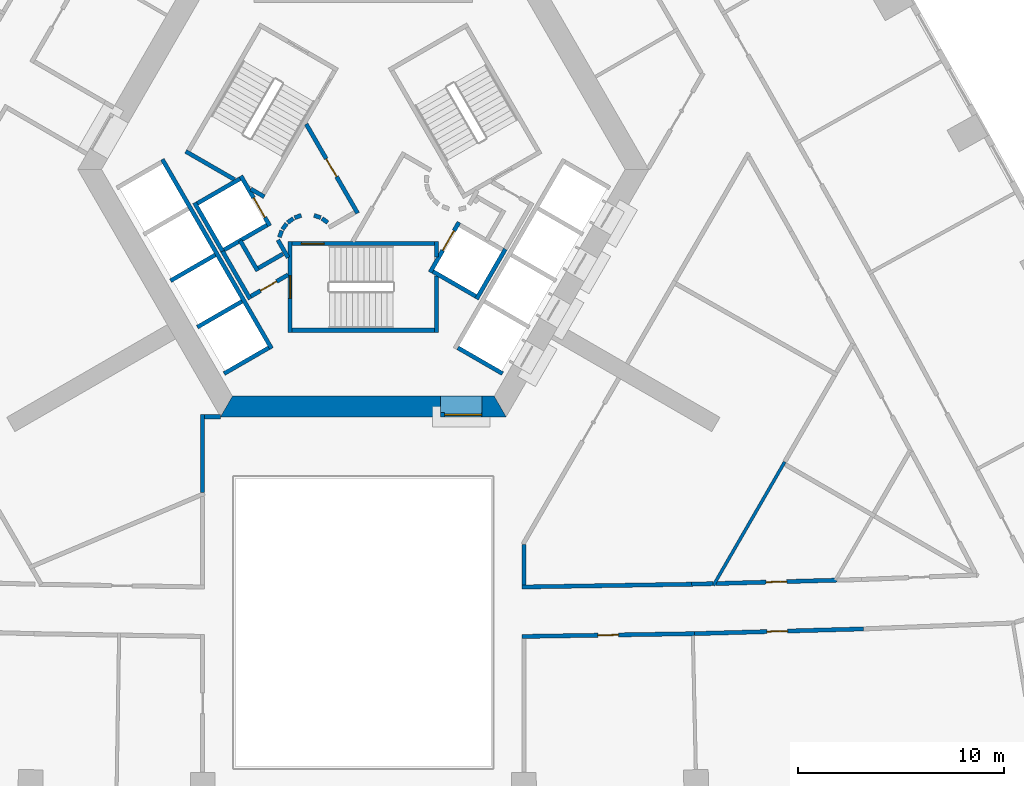
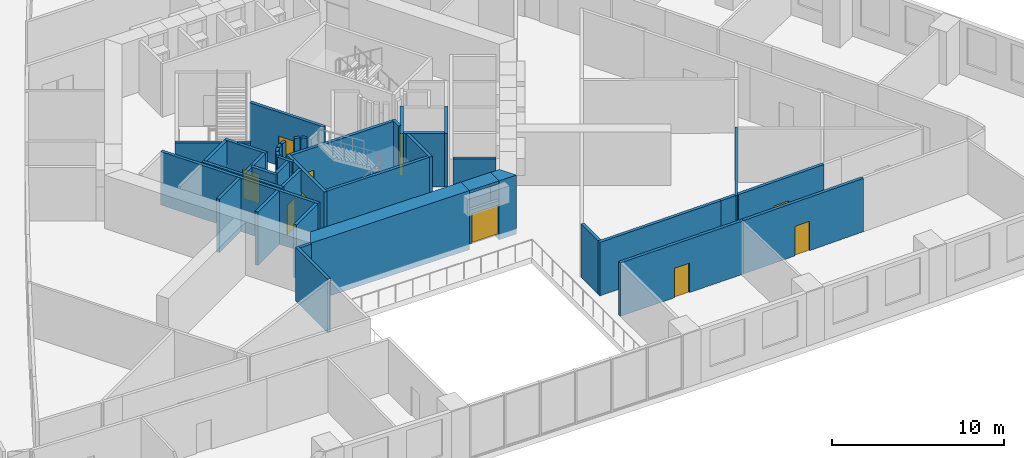
# One storey, part 6 of 16: 44 walls, 10 doors, 10 openings.
"""IFC4 building model written with IfcOpenShell, lengths in metres."""

from ifc_helpers import new_model, si_unit, direction, frame, frame_2d, origin, place, context, subcontext, project, spatial, polyline, rectangle, outline, extrude, material, layer, layer_set, type_object, element, fill, save


model = new_model("IFC4")

# Units and contexts
model_context = context("Model", 3, precision=1e-05, world=origin(), true_north=direction((0.0, 1.0)))
body_context = subcontext(model_context, "Body", "Model", "MODEL_VIEW")
ifc_project = project(units=[si_unit("LENGTHUNIT", "METRE"), si_unit("AREAUNIT", "SQUARE_METRE"), si_unit("VOLUMEUNIT", "CUBIC_METRE"), si_unit("PLANEANGLEUNIT", "RADIAN"), si_unit("MASSUNIT", "GRAM", prefix="KILO")], contexts=[model_context])

# Site, building, storey
site_placement = place(None, origin())
site = spatial("IfcSite", under=ifc_project, at=site_placement, CompositionType="ELEMENT")
building_placement = place(site_placement, origin())
building = spatial("IfcBuilding", under=site, at=building_placement, Name="Entoto Arch Interchange Tower", CompositionType="ELEMENT")
storey_placement = place(building_placement, frame((0.0, 0.0, 43.39990234375)))
storey = spatial("IfcBuildingStorey", under=building, at=storey_placement, Name="L08", CompositionType="ELEMENT", Elevation=43.39990234375)

# Wall, opening, door
ifc_material_1 = material(Name="Reinforced concrete C40/50", Category="concrete")
ifc_layer_1 = layer(ifc_material_1, 0.199951171875)
ifc_layer_set_1 = layer_set([ifc_layer_1], Name="Reinforced concrete C40/50")
wall_type_1 = type_object("IfcWallType", Name="CORE GAP INFILL WALL", PredefinedType="PARTITIONING", material=ifc_layer_set_1)
wall_1_placement = place(storey_placement, frame((3.75, -9.39990234375, 0.0), z_axis=(0.0, 0.0, 1.0), x_axis=(1.0, 0.0, 0.0)))
wall_1 = element("IfcWall", 1, at=wall_1_placement, inside=storey, type_object=wall_type_1, Name="wall:L08:gap1", PredefinedType="PARTITIONING", context=body_context, shape_type="SweptSolid", body=[
    extrude(rectangle(XDim=2.0, YDim=0.199951171875, at=frame_2d((1.0, 0.0))), origin(), (0.0, 0.0, 1.0), 2.400146484375),
])
opening_1_placement = place(wall_1_placement, frame((0.18994140625, 0.0, 0.0)))
opening_1 = element("IfcOpeningElement", 2, at=opening_1_placement, cuts=wall_1, Name="Opening L08-D91", PredefinedType="OPENING", context=body_context, shape_type="SweptSolid", body=[
    extrude(rectangle(XDim=1.800048828125, YDim=2.10009765625, at=frame_2d((0.89990234375, 1.050048828125))), frame((0.0, 0.10986328125, 0.0), z_axis=(0.0, -1.0, 0.0), x_axis=(1.0, 0.0, 0.0)), (0.0, 0.0, 1.0), 0.219970703125),
])
ifc_material_2 = material(Name="Fire-rated Steel S235 door and frame", Category="steel")
door_type_1 = type_object("IfcDoorType", Name="DOOR FD-18 1800x2100", OperationType="DOUBLE_DOOR_SINGLE_SWING", PredefinedType="DOOR", material=ifc_material_2)
door_1_placement = place(opening_1_placement, origin())
door_1 = element("IfcDoor", 3, at=door_1_placement, inside=storey, type_object=door_type_1, Name="door:L08:gap1", OperationType="DOUBLE_DOOR_SINGLE_SWING", OverallHeight=2.10009765625, OverallWidth=1.800048828125, PredefinedType="DOOR", context=body_context, shape_type="SweptSolid", body=[
    extrude(rectangle(XDim=1.800048828125, YDim=2.10009765625, at=frame_2d((0.89990234375, 1.050048828125))), frame((0.0, 0.02490234375, 0.0), z_axis=(0.0, -1.0, 0.0), x_axis=(1.0, 0.0, 0.0)), (0.0, 0.0, 1.0), 0.050048828125),
])
fill(opening_1, door_1)

# Walls
ifc_material_3 = material(Name="Concrete C60/75", Category="concrete")
ifc_layer_2 = layer(ifc_material_3, 1.0)
ifc_layer_set_2 = layer_set([ifc_layer_2], Name="Concrete C60/75")
wall_type_2 = type_object("IfcWallType", Name="Core wall 1000 C60/75", PredefinedType="SHEAR", material=ifc_layer_set_2)
wall_2_placement = place(storey_placement, frame((0.0, 0.0, -0.39990234375)))
element("IfcWall", 4, at=wall_2_placement, inside=storey, type_object=wall_type_2, Name="Core wall S L08", PredefinedType="SHEAR", context=body_context, shape_type="SweptSolid", body=[
    extrude(outline(polyline([(3.75, -9.5), (3.75, -8.5), (-6.35107421875, -8.5), (-6.927978515625, -9.5), (3.75, -9.5)])), origin(), (0.0, 0.0, 1.0), 4.199951171875),
])
wall_3_placement = place(storey_placement, frame((0.0, 0.0, -0.39990234375)))
element("IfcWall", 5, at=wall_3_placement, inside=storey, type_object=wall_type_2, Name="Core wall S L08", PredefinedType="SHEAR", context=body_context, shape_type="SweptSolid", body=[
    extrude(outline(polyline([(5.75, -8.5), (5.75, -9.5), (6.927978515625, -9.5), (6.35107421875, -8.5), (5.75, -8.5)])), origin(), (0.0, 0.0, 1.0), 4.199951171875),
])
wall_4_placement = place(storey_placement, frame((0.0, 0.0, 3.60009765625)))
element("IfcWall", 6, at=wall_4_placement, inside=storey, type_object=wall_type_2, Name="Core wall lintel S L08", PredefinedType="SHEAR", context=body_context, shape_type="SweptSolid", body=[
    extrude(outline(polyline([(5.75, -9.5), (5.75, -8.5), (3.75, -8.5), (3.75, -9.5), (5.75, -9.5)])), origin(), (0.0, 0.0, 1.0), 0.199951171875),
])

# Wall, opening, door
ifc_material_4 = material(Name="Concrete C40/50", Category="concrete")
ifc_layer_3 = layer(ifc_material_4, 0.199951171875)
ifc_layer_set_3 = layer_set([ifc_layer_3], Name="Concrete C40/50")
wall_type_3 = type_object("IfcWallType", Name="LIFT SHAFT WALL 200", PredefinedType="STANDARD", material=ifc_layer_set_3)
wall_5_placement = place(storey_placement, frame((-5.93994140625, 2.18798828125, 0.0), z_axis=(0.0, 0.0, 1.0), x_axis=(0.49994636267, -0.866056369097, 0.0)))
wall_5 = element("IfcWall", 7, at=wall_5_placement, inside=storey, type_object=wall_type_3, Name="Shaft wall SW1 front", PredefinedType="STANDARD", context=body_context, shape_type="SweptSolid", body=[
    extrude(rectangle(XDim=2.800048828125, YDim=0.199951171875, at=frame_2d((1.39990234375, 0.0))), origin(), (0.0, 0.0, 1.0), 3.800048828125),
])
opening_2_placement = place(wall_5_placement, frame((1.22509765625, 0.0, 0.0)))
opening_2 = element("IfcOpeningElement", 8, at=opening_2_placement, cuts=wall_5, Name="Opening LD-FF2-L08", PredefinedType="OPENING", context=body_context, shape_type="SweptSolid", body=[
    extrude(rectangle(XDim=1.10009765625, YDim=2.10009765625, at=frame_2d((0.550048828125, 1.050048828125))), frame((0.0, 0.10986328125, 0.0), z_axis=(0.0, -1.0, 0.0), x_axis=(1.0, 0.0, 0.0)), (0.0, 0.0, 1.0), 0.219970703125),
])
ifc_material_5 = material(Name="Stainless steel 1.4301 panels", Category="steel")
door_type_2 = type_object("IfcDoorType", Name="LIFT LANDING DOOR LD1 1100x2100", OperationType="SLIDING_TO_LEFT", PredefinedType="DOOR", material=ifc_material_5)
door_2_placement = place(opening_2_placement, origin())
door_2 = element("IfcDoor", 9, at=door_2_placement, inside=storey, type_object=door_type_2, Name="Lift landing door FF2 L08", OperationType="SLIDING_TO_LEFT", OverallHeight=2.10009765625, OverallWidth=1.10009765625, PredefinedType="DOOR", context=body_context, shape_type="SweptSolid", body=[
    extrude(rectangle(XDim=1.10009765625, YDim=2.10009765625, at=frame_2d((0.550048828125, 1.050048828125))), frame((0.0, 0.02490234375, 0.0), z_axis=(0.0, -1.0, 0.0), x_axis=(1.0, 0.0, 0.0)), (0.0, 0.0, 1.0), 0.050048828125),
])
fill(opening_2, door_2)

# Walls
wall_6_placement = place(storey_placement, frame((-8.19189453125, 0.887939453125, 0.0), z_axis=(0.0, 0.0, 1.0), x_axis=(0.49994636267, -0.866056369097, 0.0)))
element("IfcWall", 10, at=wall_6_placement, inside=storey, type_object=wall_type_3, Name="Shaft wall SW1 back", PredefinedType="STANDARD", context=body_context, shape_type="SweptSolid", body=[
    extrude(rectangle(XDim=2.800048828125, YDim=0.199951171875, at=frame_2d((1.39990234375, 0.0))), origin(), (0.0, 0.0, 1.0), 3.800048828125),
])
for number, where, z_axis, x_axis, name in (
    (11, (-5.97705078125, 2.052001953125, 0.0), (0.0, 0.0, 1.0), (-0.865973769406, -0.500089422704, 0.0), "Shaft wall SW1 cross 1"),
    (12, (-4.677001953125, -0.199951171875, 0.0), (0.0, 0.0, 1.0), (-0.865973769406, -0.500089422704, 0.0), "Shaft wall SW1 cross 2"),
):
    element("IfcWall", number, at=place(storey_placement, frame(where, z_axis=z_axis, x_axis=x_axis)), inside=storey, type_object=wall_type_3, Name=name, PredefinedType="STANDARD", context=body_context, shape_type="SweptSolid", body=[
        extrude(rectangle(XDim=2.3994140625, YDim=0.199951171875, at=frame_2d((1.19970703125, 0.0))), origin(), (0.0, 0.0, 1.0), 3.800048828125),
    ])
wall_7_placement = place(storey_placement, frame((-9.7509765625, 2.989990234375, 0.0), z_axis=(0.0, 0.0, 1.0), x_axis=(0.50000090737, -0.866024879913, 0.0)))
element("IfcWall", 13, at=wall_7_placement, inside=storey, type_object=wall_type_3, Name="Shaft wall SW3 front", PredefinedType="STANDARD", context=body_context, shape_type="SweptSolid", body=[
    extrude(rectangle(XDim=10.60009765625, YDim=0.199951171875, at=frame_2d((5.300048828125, 0.0))), origin(), (0.0, 0.0, 1.0), 3.800048828125),
])
for number, where, z_axis, x_axis, name in (
    (14, (-7.18798828125, -1.64990234375, 0.0), (0.0, 0.0, 1.0), (-0.866022959057, -0.500004234368, 0.0), "Shaft wall SW3 cross 3"),
    (15, (-5.887939453125, -3.902099609375, 0.0), (0.0, 0.0, 1.0), (-0.866022959057, -0.500004234368, 0.0), "Shaft wall SW3 cross 4"),
    (16, (-4.587890625, -6.153076171875, 0.0), (0.0, 0.0, 1.0), (-0.866022959057, -0.500004234368, 0.0), "Shaft wall SW3 cross 5"),
):
    element("IfcWall", number, at=place(storey_placement, frame(where, z_axis=z_axis, x_axis=x_axis)), inside=storey, type_object=wall_type_3, Name=name, PredefinedType="STANDARD", context=body_context, shape_type="SweptSolid", body=[
        extrude(rectangle(XDim=2.5, YDim=0.199951171875, at=frame_2d((1.25, 0.0))), origin(), (0.0, 0.0, 1.0), 3.800048828125),
    ])

# Wall, opening, door
wall_8_placement = place(storey_placement, frame((3.239990234375, -2.488037109375, 0.0), z_axis=(0.0, 0.0, 1.0), x_axis=(0.49994636267, 0.866056369097, 0.0)))
wall_8 = element("IfcWall", 17, at=wall_8_placement, inside=storey, type_object=wall_type_3, Name="Shaft wall SE1 front", PredefinedType="STANDARD", context=body_context, shape_type="SweptSolid", body=[
    extrude(rectangle(XDim=2.800048828125, YDim=0.199951171875, at=frame_2d((1.39990234375, 0.0))), origin(), (0.0, 0.0, 1.0), 3.800048828125),
])
opening_3_placement = place(wall_8_placement, frame((1.22509765625, 0.0, 0.0)))
opening_3 = element("IfcOpeningElement", 18, at=opening_3_placement, cuts=wall_8, Name="Opening LD-FF1-L08", PredefinedType="OPENING", context=body_context, shape_type="SweptSolid", body=[
    extrude(rectangle(XDim=1.10009765625, YDim=2.10009765625, at=frame_2d((0.550048828125, 1.050048828125))), frame((0.0, 0.10986328125, 0.0), z_axis=(0.0, -1.0, 0.0), x_axis=(1.0, 0.0, 0.0)), (0.0, 0.0, 1.0), 0.219970703125),
])
door_3_placement = place(opening_3_placement, origin())
door_3 = element("IfcDoor", 19, at=door_3_placement, inside=storey, type_object=door_type_2, Name="Lift landing door FF1 L08", OperationType="SLIDING_TO_LEFT", OverallHeight=2.10009765625, OverallWidth=1.10009765625, PredefinedType="DOOR", context=body_context, shape_type="SweptSolid", body=[
    extrude(rectangle(XDim=1.10009765625, YDim=2.10009765625, at=frame_2d((0.550048828125, 1.050048828125))), frame((0.0, 0.02490234375, 0.0), z_axis=(0.0, -1.0, 0.0), x_axis=(1.0, 0.0, 0.0)), (0.0, 0.0, 1.0), 0.050048828125),
])
fill(opening_3, door_3)

# Walls
wall_9_placement = place(storey_placement, frame((5.491943359375, -3.7880859375, 0.0), z_axis=(0.0, 0.0, 1.0), x_axis=(0.500011755427, 0.866018616679, 0.0)))
element("IfcWall", 20, at=wall_9_placement, inside=storey, type_object=wall_type_3, Name="Shaft wall SE1 back", PredefinedType="STANDARD", context=body_context, shape_type="SweptSolid", body=[
    extrude(rectangle(XDim=2.80029296875, YDim=0.199951171875, at=frame_2d((1.400146484375, 0.0))), origin(), (0.0, 0.0, 1.0), 3.800048828125),
])
wall_10_placement = place(storey_placement, frame((3.376953125, -2.451904296875, 0.0), z_axis=(0.0, 0.0, 1.0), x_axis=(0.865955154139, -0.50012165622, 0.0)))
element("IfcWall", 21, at=wall_10_placement, inside=storey, type_object=wall_type_3, Name="Shaft wall SE1 cross 1", PredefinedType="STANDARD", context=body_context, shape_type="SweptSolid", body=[
    extrude(rectangle(XDim=2.39990234375, YDim=0.199951171875, at=frame_2d((1.199951171875, 0.0))), origin(), (0.0, 0.0, 1.0), 3.800048828125),
])
wall_11_placement = place(storey_placement, frame((4.587890625, -6.153076171875, 0.0), z_axis=(0.0, 0.0, 1.0), x_axis=(0.866022959057, -0.500004234368, 0.0)))
element("IfcWall", 22, at=wall_11_placement, inside=storey, type_object=wall_type_3, Name="Shaft wall SE3 cross 1", PredefinedType="STANDARD", context=body_context, shape_type="SweptSolid", body=[
    extrude(rectangle(XDim=2.5, YDim=0.199951171875, at=frame_2d((1.25, 0.0))), origin(), (0.0, 0.0, 1.0), 3.800048828125),
])
ifc_material_6 = material(Name="Gypsum board partition on steel studs", Category="steel")
ifc_layer_4 = layer(ifc_material_6, 0.14990234375)
ifc_layer_set_4 = layer_set([ifc_layer_4], Name="Gypsum board partition on steel studs")
wall_type_4 = type_object("IfcWallType", Name="PARTITION 150", PredefinedType="PARTITIONING", material=ifc_layer_set_4)
wall_12_placement = place(storey_placement, frame((20.445068359375, -11.68798828125, 0.0), z_axis=(0.0, 0.0, 1.0), x_axis=(-0.500010633597, -0.866019264387, 0.0)))
element("IfcWall", 23, at=wall_12_placement, inside=storey, type_object=wall_type_4, Name="wall:L08:p114", PredefinedType="PARTITIONING", context=body_context, shape_type="SweptSolid", body=[
    extrude(rectangle(XDim=6.917724609375, YDim=0.14990234375, at=frame_2d((3.458984375, 0.0))), origin(), (0.0, 0.0, 1.0), 3.800048828125),
])
ifc_layer_5 = layer(ifc_material_6, 0.199951171875)
ifc_layer_set_5 = layer_set([ifc_layer_5], Name="Gypsum board partition on steel studs")
wall_type_5 = type_object("IfcWallType", Name="PARTITION 200", PredefinedType="PARTITIONING", material=ifc_layer_set_5)
wall_13_placement = place(storey_placement, frame((7.699951171875, -17.758056640625, 0.0), z_axis=(0.0, 0.0, 1.0), x_axis=(0.999865574926, 0.016396099485, 0.0)))
element("IfcWall", 24, at=wall_13_placement, inside=storey, type_object=wall_type_5, Name="wall:L08:p014", PredefinedType="PARTITIONING", context=body_context, shape_type="SweptSolid", body=[
    extrude(rectangle(XDim=8.234375, YDim=0.199951171875, at=frame_2d((4.1171875, 0.0))), origin(), (0.0, 0.0, 1.0), 3.800048828125),
])
wall_14_placement = place(storey_placement, frame((15.93310546875, -17.623046875, 0.0), z_axis=(0.0, 0.0, 1.0), x_axis=(0.999627129061, 0.027305729179, 0.0)))
element("IfcWall", 25, at=wall_14_placement, inside=storey, type_object=wall_type_5, Name="wall:L08:p015", PredefinedType="PARTITIONING", context=body_context, shape_type="SweptSolid", body=[
    extrude(rectangle(XDim=1.0283203125, YDim=0.199951171875, at=frame_2d((0.51416015625, 0.0))), origin(), (0.0, 0.0, 1.0), 3.800048828125),
])

# Wall, opening, door
wall_15_placement = place(storey_placement, frame((17.111083984375, -17.591064453125, 0.0), z_axis=(0.0, 0.0, 1.0), x_axis=(0.99960470841, 0.028114532261, 0.0)))
wall_15 = element("IfcWall", 26, at=wall_15_placement, inside=storey, type_object=wall_type_5, Name="wall:L08:p018", PredefinedType="PARTITIONING", context=body_context, shape_type="SweptSolid", body=[
    extrude(rectangle(XDim=5.870361328125, YDim=0.199951171875, at=frame_2d((2.93505859375, 0.0))), origin(), (0.0, 0.0, 1.0), 3.800048828125),
])
opening_4_placement = place(wall_15_placement, frame((2.43505859375, 0.0, 0.0)))
opening_4 = element("IfcOpeningElement", 27, at=opening_4_placement, cuts=wall_15, Name="Opening L08-D25", PredefinedType="OPENING", context=body_context, shape_type="SweptSolid", body=[
    extrude(rectangle(XDim=1.0, YDim=2.10009765625, at=frame_2d((0.5, 1.050048828125))), frame((0.0, 0.10986328125, 0.0), z_axis=(0.0, -1.0, 0.0), x_axis=(1.0, 0.0, 0.0)), (0.0, 0.0, 1.0), 0.219970703125),
])
ifc_material_7 = material(Name="Timber door leaf in Steel S235 frame", Category="steel")
door_type_3 = type_object("IfcDoorType", Name="DOOR DS-10 1000x2100", OperationType="SINGLE_SWING_LEFT", PredefinedType="DOOR", material=ifc_material_7)
door_4_placement = place(opening_4_placement, origin())
door_4 = element("IfcDoor", 28, at=door_4_placement, inside=storey, type_object=door_type_3, Name="door:L08:25", OperationType="SINGLE_SWING_LEFT", OverallHeight=2.10009765625, OverallWidth=1.0, PredefinedType="DOOR", context=body_context, shape_type="SweptSolid", body=[
    extrude(rectangle(XDim=1.0, YDim=2.10009765625, at=frame_2d((0.5, 1.050048828125))), frame((0.0, 0.02490234375, 0.0), z_axis=(0.0, -1.0, 0.0), x_axis=(1.0, 0.0, 0.0)), (0.0, 0.0, 1.0), 0.050048828125),
])
fill(opening_4, door_4)

wall_16_placement = place(storey_placement, frame((16.06103515625, -20.02197265625, 0.0), z_axis=(0.0, 0.0, 1.0), x_axis=(-0.999865858466, -0.016378799504, 0.0)))
wall_16 = element("IfcWall", 29, at=wall_16_placement, inside=storey, type_object=wall_type_5, Name="wall:L08:p035", PredefinedType="PARTITIONING", context=body_context, shape_type="SweptSolid", body=[
    extrude(rectangle(XDim=8.3623046875, YDim=0.199951171875, at=frame_2d((4.18115234375, 0.0))), origin(), (0.0, 0.0, 1.0), 3.800048828125),
])
opening_5_placement = place(wall_16_placement, frame((3.680908203125, 0.0, 0.0)))
opening_5 = element("IfcOpeningElement", 30, at=opening_5_placement, cuts=wall_16, Name="Opening L08-D01", PredefinedType="OPENING", context=body_context, shape_type="SweptSolid", body=[
    extrude(rectangle(XDim=1.0, YDim=2.10009765625, at=frame_2d((0.5, 1.050048828125))), frame((0.0, 0.10986328125, 0.0), z_axis=(0.0, -1.0, 0.0), x_axis=(1.0, 0.0, 0.0)), (0.0, 0.0, 1.0), 0.219970703125),
])
door_5_placement = place(opening_5_placement, origin())
door_5 = element("IfcDoor", 31, at=door_5_placement, inside=storey, type_object=door_type_3, Name="door:L08:01", OperationType="SINGLE_SWING_RIGHT", OverallHeight=2.10009765625, OverallWidth=1.0, PredefinedType="DOOR", context=body_context, shape_type="SweptSolid", body=[
    extrude(rectangle(XDim=1.0, YDim=2.10009765625, at=frame_2d((0.5, 1.050048828125))), frame((0.0, 0.02490234375, 0.0), z_axis=(0.0, -1.0, 0.0), x_axis=(1.0, 0.0, 0.0)), (0.0, 0.0, 1.0), 0.050048828125),
])
fill(opening_5, door_5)

wall_17_placement = place(storey_placement, frame((24.260986328125, -19.7919921875, 0.0), z_axis=(0.0, 0.0, 1.0), x_axis=(-0.999610256124, -0.027916587377, 0.0)))
wall_17 = element("IfcWall", 32, at=wall_17_placement, inside=storey, type_object=wall_type_5, Name="wall:L08:p037", PredefinedType="PARTITIONING", context=body_context, shape_type="SweptSolid", body=[
    extrude(rectangle(XDim=8.203125, YDim=0.199951171875, at=frame_2d((4.1015625, 0.0))), origin(), (0.0, 0.0, 1.0), 3.800048828125),
])
opening_6_placement = place(wall_17_placement, frame((3.677001953125, 0.0, 0.0)))
opening_6 = element("IfcOpeningElement", 33, at=opening_6_placement, cuts=wall_17, Name="Opening L08-D02", PredefinedType="OPENING", context=body_context, shape_type="SweptSolid", body=[
    extrude(rectangle(XDim=1.0, YDim=2.10009765625, at=frame_2d((0.5, 1.050048828125))), frame((0.0, 0.10986328125, 0.0), z_axis=(0.0, -1.0, 0.0), x_axis=(1.0, 0.0, 0.0)), (0.0, 0.0, 1.0), 0.219970703125),
])
door_6_placement = place(opening_6_placement, origin())
door_6 = element("IfcDoor", 34, at=door_6_placement, inside=storey, type_object=door_type_3, Name="door:L08:02", OperationType="SINGLE_SWING_RIGHT", OverallHeight=2.10009765625, OverallWidth=1.0, PredefinedType="DOOR", context=body_context, shape_type="SweptSolid", body=[
    extrude(rectangle(XDim=1.0, YDim=2.10009765625, at=frame_2d((0.5, 1.050048828125))), frame((0.0, 0.02490234375, 0.0), z_axis=(0.0, -1.0, 0.0), x_axis=(1.0, 0.0, 0.0)), (0.0, 0.0, 1.0), 0.050048828125),
])
fill(opening_6, door_6)

# Walls
wall_18_placement = place(storey_placement, frame((-3.89990234375, -1.59912109375, 0.0), z_axis=(0.0, 0.0, 1.0), x_axis=(-0.865969445389, -0.500096910261, 0.0)))
element("IfcWall", 35, at=wall_18_placement, inside=storey, type_object=wall_type_5, Name="wall:L08:p079", PredefinedType="PARTITIONING", context=body_context, shape_type="SweptSolid", body=[
    extrude(rectangle(XDim=1.373291015625, YDim=0.199951171875, at=frame_2d((0.6865234375, 0.0))), origin(), (0.0, 0.0, 1.0), 3.800048828125),
])
wall_19_placement = place(storey_placement, frame((-5.1259765625, -2.422119140625, 0.0), z_axis=(0.0, 0.0, 1.0), x_axis=(-0.500062241894, 0.865989465428, 0.0)))
element("IfcWall", 36, at=wall_19_placement, inside=storey, type_object=wall_type_5, Name="wall:L08:p080", PredefinedType="PARTITIONING", context=body_context, shape_type="SweptSolid", body=[
    extrude(rectangle(XDim=1.699951171875, YDim=0.199951171875, at=frame_2d((0.85009765625, 0.0))), origin(), (0.0, 0.0, 1.0), 3.800048828125),
])

# Wall, opening, door
wall_20_placement = place(storey_placement, frame((-3.64990234375, -2.610107421875, 0.0), z_axis=(0.0, 0.0, 1.0), x_axis=(-0.866072462134, -0.499918483688, 0.0)))
wall_20 = element("IfcWall", 37, at=wall_20_placement, inside=storey, type_object=wall_type_5, Name="wall:L08:p081", PredefinedType="PARTITIONING", context=body_context, shape_type="SweptSolid", body=[
    extrude(rectangle(XDim=2.084228515625, YDim=0.199951171875, at=frame_2d((1.0419921875, 0.0))), origin(), (0.0, 0.0, 1.0), 3.800048828125),
])
opening_7_placement = place(wall_20_placement, frame((0.64208984375, 0.0, 0.0)))
opening_7 = element("IfcOpeningElement", 38, at=opening_7_placement, cuts=wall_20, Name="Opening L08-D41", PredefinedType="OPENING", context=body_context, shape_type="SweptSolid", body=[
    extrude(rectangle(XDim=0.89990234375, YDim=2.10009765625, at=frame_2d((0.449951171875, 1.050048828125))), frame((0.0, 0.10986328125, 0.0), z_axis=(0.0, -1.0, 0.0), x_axis=(1.0, 0.0, 0.0)), (0.0, 0.0, 1.0), 0.219970703125),
])
door_type_4 = type_object("IfcDoorType", Name="DOOR DS-09 900x2100", OperationType="SINGLE_SWING_LEFT", PredefinedType="DOOR", material=ifc_material_7)
door_7_placement = place(opening_7_placement, origin())
door_7 = element("IfcDoor", 39, at=door_7_placement, inside=storey, type_object=door_type_4, Name="door:L08:41", OperationType="SINGLE_SWING_LEFT", OverallHeight=2.10009765625, OverallWidth=0.89990234375, PredefinedType="DOOR", context=body_context, shape_type="SweptSolid", body=[
    extrude(rectangle(XDim=0.89990234375, YDim=2.10009765625, at=frame_2d((0.449951171875, 1.050048828125))), frame((0.0, 0.02490234375, 0.0), z_axis=(0.0, -1.0, 0.0), x_axis=(1.0, 0.0, 0.0)), (0.0, 0.0, 1.0), 0.050048828125),
])
fill(opening_7, door_7)

# Walls
wall_21_placement = place(storey_placement, frame((-5.491943359375, -3.7880859375, 0.0), z_axis=(0.0, 0.0, 1.0), x_axis=(-0.500008949224, 0.866020236886, 0.0)))
element("IfcWall", 40, at=wall_21_placement, inside=storey, type_object=wall_type_5, Name="wall:L08:p082", PredefinedType="PARTITIONING", context=body_context, shape_type="SweptSolid", body=[
    extrude(rectangle(XDim=2.68017578125, YDim=0.199951171875, at=frame_2d((1.340087890625, 0.0))), origin(), (0.0, 0.0, 1.0), 3.800048828125),
])
wall_22_placement = place(storey_placement, frame((-4.14501953125, -0.919921875, 0.0), z_axis=(0.0, 0.0, 1.0), x_axis=(0.499743786207, -0.866173278362, 0.0)))
element("IfcWall", 41, at=wall_22_placement, inside=storey, type_object=wall_type_5, Name="wall:L08:p083", PredefinedType="PARTITIONING", context=body_context, shape_type="SweptSolid", body=[
    extrude(rectangle(XDim=0.99072265625, YDim=0.199951171875, at=frame_2d((0.495361328125, 0.0))), origin(), (0.0, 0.0, 1.0), 3.800048828125),
])

# Wall, opening, door
wall_23_placement = place(storey_placement, frame((-2.77099609375, 4.699951171875, 0.0), z_axis=(0.0, 0.0, 1.0), x_axis=(0.499969479948, -0.866043023828, 0.0)))
wall_23 = element("IfcWall", 42, at=wall_23_placement, inside=storey, type_object=wall_type_5, Name="wall:L08:p096", PredefinedType="PARTITIONING", context=body_context, shape_type="SweptSolid", body=[
    extrude(rectangle(XDim=4.990478515625, YDim=0.199951171875, at=frame_2d((2.4951171875, 0.0))), origin(), (0.0, 0.0, 1.0), 3.800048828125),
])
opening_8_placement = place(wall_23_placement, frame((1.945068359375, 0.0, 0.0)))
opening_8 = element("IfcOpeningElement", 43, at=opening_8_placement, cuts=wall_23, Name="Opening L08-D39", PredefinedType="OPENING", context=body_context, shape_type="SweptSolid", body=[
    extrude(rectangle(XDim=1.0, YDim=2.10009765625, at=frame_2d((0.5, 1.050048828125))), frame((0.0, 0.10986328125, 0.0), z_axis=(0.0, -1.0, 0.0), x_axis=(1.0, 0.0, 0.0)), (0.0, 0.0, 1.0), 0.219970703125),
])
door_type_5 = type_object("IfcDoorType", Name="DOOR FD-10 1000x2100", OperationType="SINGLE_SWING_LEFT", PredefinedType="DOOR", material=ifc_material_2)
door_8_placement = place(opening_8_placement, origin())
door_8 = element("IfcDoor", 44, at=door_8_placement, inside=storey, type_object=door_type_5, Name="door:L08:39", OperationType="SINGLE_SWING_RIGHT", OverallHeight=2.10009765625, OverallWidth=1.0, PredefinedType="DOOR", context=body_context, shape_type="SweptSolid", body=[
    extrude(rectangle(XDim=1.0, YDim=2.10009765625, at=frame_2d((0.5, 1.050048828125))), frame((0.0, 0.02490234375, 0.0), z_axis=(0.0, -1.0, 0.0), x_axis=(1.0, 0.0, 0.0)), (0.0, 0.0, 1.0), 0.050048828125),
])
fill(opening_8, door_8)

# Walls
wall_24_placement = place(storey_placement, frame((-1.73095703125, -0.076904296875, 0.0), z_axis=(0.0, 0.0, 1.0), x_axis=(-0.804311165252, 0.594208338422, 0.0)))
element("IfcWall", 45, at=wall_24_placement, inside=storey, type_object=wall_type_5, Name="wall:L08:p098", PredefinedType="PARTITIONING", context=body_context, shape_type="SweptSolid", body=[
    extrude(rectangle(XDim=0.338134765625, YDim=0.199951171875, at=frame_2d((0.1689453125, 0.0))), origin(), (0.0, 0.0, 1.0), 3.800048828125),
])
wall_25_placement = place(storey_placement, frame((-2.070068359375, 0.159912109375, 0.0), z_axis=(0.0, 0.0, 1.0), x_axis=(-0.942199461132, 0.335052496547, 0.0)))
element("IfcWall", 46, at=wall_25_placement, inside=storey, type_object=wall_type_5, Name="wall:L08:p099", PredefinedType="PARTITIONING", context=body_context, shape_type="SweptSolid", body=[
    extrude(rectangle(XDim=0.33740234375, YDim=0.199951171875, at=frame_2d((0.168701171875, 0.0))), origin(), (0.0, 0.0, 1.0), 3.800048828125),
])
wall_26_placement = place(storey_placement, frame((-3.011962890625, 0.27294921875, 0.0), z_axis=(0.0, 0.0, 1.0), x_axis=(-0.942280615813, -0.334824194261, 0.0)))
element("IfcWall", 47, at=wall_26_placement, inside=storey, type_object=wall_type_5, Name="wall:L08:p100", PredefinedType="PARTITIONING", context=body_context, shape_type="SweptSolid", body=[
    extrude(rectangle(XDim=0.337646484375, YDim=0.199951171875, at=frame_2d((0.1689453125, 0.0))), origin(), (0.0, 0.0, 1.0), 3.800048828125),
])
wall_27_placement = place(storey_placement, frame((-3.39697265625, 0.1240234375, 0.0), z_axis=(0.0, 0.0, 1.0), x_axis=(-0.804311165252, -0.594208338422, 0.0)))
element("IfcWall", 48, at=wall_27_placement, inside=storey, type_object=wall_type_5, Name="wall:L08:p101", PredefinedType="PARTITIONING", context=body_context, shape_type="SweptSolid", body=[
    extrude(rectangle(XDim=0.338134765625, YDim=0.199951171875, at=frame_2d((0.1689453125, 0.0))), origin(), (0.0, 0.0, 1.0), 3.800048828125),
])
wall_28_placement = place(storey_placement, frame((-3.722900390625, -0.131103515625, 0.0), z_axis=(0.0, 0.0, 1.0), x_axis=(-0.594675113454, -0.803966112121, 0.0)))
element("IfcWall", 49, at=wall_28_placement, inside=storey, type_object=wall_type_5, Name="wall:L08:p102", PredefinedType="PARTITIONING", context=body_context, shape_type="SweptSolid", body=[
    extrude(rectangle(XDim=0.33837890625, YDim=0.199951171875, at=frame_2d((0.169189453125, 0.0))), origin(), (0.0, 0.0, 1.0), 3.800048828125),
])
wall_29_placement = place(storey_placement, frame((-3.9599609375, -0.469970703125, 0.0), z_axis=(0.0, 0.0, 1.0), x_axis=(-0.334824194261, -0.942280615813, 0.0)))
element("IfcWall", 50, at=wall_29_placement, inside=storey, type_object=wall_type_5, Name="wall:L08:p103", PredefinedType="PARTITIONING", context=body_context, shape_type="SweptSolid", body=[
    extrude(rectangle(XDim=0.337646484375, YDim=0.199951171875, at=frame_2d((0.1689453125, 0.0))), origin(), (0.0, 0.0, 1.0), 3.800048828125),
])
wall_30_placement = place(storey_placement, frame((7.800048828125, -15.68994140625, 0.0), z_axis=(0.0, 0.0, 1.0), x_axis=(0.0, -1.0, 0.0)))
element("IfcWall", 51, at=wall_30_placement, inside=storey, type_object=wall_type_5, Name="wall:L08:p104", PredefinedType="PARTITIONING", context=body_context, shape_type="SweptSolid", body=[
    extrude(rectangle(XDim=1.967041015625, YDim=0.199951171875, at=frame_2d((0.9833984375, 0.0))), origin(), (0.0, 0.0, 1.0), 3.800048828125),
])
wall_31_placement = place(storey_placement, frame((-7.800048828125, -13.160888671875, 0.0), z_axis=(0.0, 0.0, 1.0), x_axis=(0.0, 1.0, 0.0)))
element("IfcWall", 52, at=wall_31_placement, inside=storey, type_object=wall_type_5, Name="wall:L08:p105", PredefinedType="PARTITIONING", context=body_context, shape_type="SweptSolid", body=[
    extrude(rectangle(XDim=3.761962890625, YDim=0.199951171875, at=frame_2d((1.880859375, 0.0))), origin(), (0.0, 0.0, 1.0), 3.800048828125),
])
wall_32_placement = place(storey_placement, frame((-7.699951171875, -9.4990234375, 0.0), z_axis=(0.0, 0.0, 1.0), x_axis=(1.0, 0.0, 0.0)))
element("IfcWall", 53, at=wall_32_placement, inside=storey, type_object=wall_type_5, Name="wall:L08:p106", PredefinedType="PARTITIONING", context=body_context, shape_type="SweptSolid", body=[
    extrude(rectangle(XDim=0.77099609375, YDim=0.199951171875, at=frame_2d((0.385498046875, 0.0))), origin(), (0.0, 0.0, 1.0), 3.800048828125),
])

# Wall, opening, door
ifc_layer_6 = layer(ifc_material_4, 0.199951171875)
ifc_layer_set_6 = layer_set([ifc_layer_6], Name="Concrete C40/50")
wall_type_6 = type_object("IfcWallType", Name="STAIR ENCLOSURE WALL 200", PredefinedType="STANDARD", material=ifc_layer_set_6)
wall_33_placement = place(storey_placement, frame((-3.550048828125, -1.0, 0.0), z_axis=(0.0, 0.0, 1.0), x_axis=(0.0, -1.0, 0.0)))
wall_33 = element("IfcWall", 54, at=wall_33_placement, inside=storey, type_object=wall_type_6, Name="Stair wall ST-S near", PredefinedType="STANDARD", context=body_context, shape_type="SweptSolid", body=[
    extrude(rectangle(XDim=4.39990234375, YDim=0.199951171875, at=frame_2d((2.199951171875, 0.0))), origin(), (0.0, 0.0, 1.0), 3.800048828125),
])
opening_9_placement = place(wall_33_placement, frame((1.64990234375, 0.0, 0.0)))
opening_9 = element("IfcOpeningElement", 55, at=opening_9_placement, cuts=wall_33, Name="Opening SD-ST-S-L08-E", PredefinedType="OPENING", context=body_context, shape_type="SweptSolid", body=[
    extrude(rectangle(XDim=1.10009765625, YDim=2.199951171875, at=frame_2d((0.550048828125, 1.10009765625))), frame((0.0, 0.10986328125, 0.0), z_axis=(0.0, -1.0, 0.0), x_axis=(1.0, 0.0, 0.0)), (0.0, 0.0, 1.0), 0.219970703125),
])
ifc_material_8 = material(Name="Steel S235", Category="steel")
door_type_6 = type_object("IfcDoorType", Name="STAIR DOOR SD1 1100x2200", OperationType="SINGLE_SWING_LEFT", PredefinedType="DOOR", material=ifc_material_8)
door_9_placement = place(opening_9_placement, origin())
door_9 = element("IfcDoor", 56, at=door_9_placement, inside=storey, type_object=door_type_6, Name="Stair door ST-S L08 end", OperationType="SINGLE_SWING_LEFT", OverallHeight=2.199951171875, OverallWidth=1.10009765625, PredefinedType="DOOR", context=body_context, shape_type="SweptSolid", body=[
    extrude(rectangle(XDim=1.10009765625, YDim=2.199951171875, at=frame_2d((0.550048828125, 1.10009765625))), frame((0.0, 0.02490234375, 0.0), z_axis=(0.0, -1.0, 0.0), x_axis=(1.0, 0.0, 0.0)), (0.0, 0.0, 1.0), 0.050048828125),
])
fill(opening_9, door_9)

# Walls
wall_34_placement = place(storey_placement, frame((3.550048828125, -2.6669921875, 0.0), z_axis=(0.0, 0.0, 1.0), x_axis=(0.0, -1.0, 0.0)))
element("IfcWall", 57, at=wall_34_placement, inside=storey, type_object=wall_type_6, Name="Stair wall ST-S far", PredefinedType="STANDARD", context=body_context, shape_type="SweptSolid", body=[
    extrude(rectangle(XDim=2.73291015625, YDim=0.199951171875, at=frame_2d((1.366455078125, 0.0))), origin(), (0.0, 0.0, 1.0), 3.800048828125),
])
wall_35_placement = place(storey_placement, frame((3.550048828125, -1.0, 0.0), z_axis=(0.0, 0.0, 1.0), x_axis=(0.0, -1.0, 0.0)))
element("IfcWall", 58, at=wall_35_placement, inside=storey, type_object=wall_type_6, Name="Stair wall ST-S far return", PredefinedType="STANDARD", context=body_context, shape_type="SweptSolid", body=[
    extrude(rectangle(XDim=0.7509765625, YDim=0.199951171875, at=frame_2d((0.37548828125, 0.0))), origin(), (0.0, 0.0, 1.0), 3.800048828125),
])

# Wall, opening, door
wall_36_placement = place(storey_placement, frame((-3.449951171875, -1.10009765625, 0.0), z_axis=(0.0, 0.0, 1.0), x_axis=(1.0, 0.0, 0.0)))
wall_36 = element("IfcWall", 59, at=wall_36_placement, inside=storey, type_object=wall_type_6, Name="Stair wall ST-S hall", PredefinedType="STANDARD", context=body_context, shape_type="SweptSolid", body=[
    extrude(rectangle(XDim=6.89990234375, YDim=0.199951171875, at=frame_2d((3.449951171875, 0.0))), origin(), (0.0, 0.0, 1.0), 3.800048828125),
])
opening_10_placement = place(wall_36_placement, frame((0.449951171875, 0.0, 0.0)))
opening_10 = element("IfcOpeningElement", 60, at=opening_10_placement, cuts=wall_36, Name="Opening SD-ST-S-L08", PredefinedType="OPENING", context=body_context, shape_type="SweptSolid", body=[
    extrude(rectangle(XDim=1.10009765625, YDim=2.199951171875, at=frame_2d((0.550048828125, 1.10009765625))), frame((0.0, 0.10986328125, 0.0), z_axis=(0.0, -1.0, 0.0), x_axis=(1.0, 0.0, 0.0)), (0.0, 0.0, 1.0), 0.219970703125),
])
door_10_placement = place(opening_10_placement, origin())
door_10 = element("IfcDoor", 61, at=door_10_placement, inside=storey, type_object=door_type_6, Name="Stair door ST-S L08", OperationType="SINGLE_SWING_LEFT", OverallHeight=2.199951171875, OverallWidth=1.10009765625, PredefinedType="DOOR", context=body_context, shape_type="SweptSolid", body=[
    extrude(rectangle(XDim=1.10009765625, YDim=2.199951171875, at=frame_2d((0.550048828125, 1.10009765625))), frame((0.0, 0.02490234375, 0.0), z_axis=(0.0, -1.0, 0.0), x_axis=(1.0, 0.0, 0.0)), (0.0, 0.0, 1.0), 0.050048828125),
])
fill(opening_10, door_10)

# Walls
wall_37_placement = place(storey_placement, frame((-3.449951171875, -5.300048828125, 0.0), z_axis=(0.0, 0.0, 1.0), x_axis=(1.0, 0.0, 0.0)))
element("IfcWall", 62, at=wall_37_placement, inside=storey, type_object=wall_type_6, Name="Stair wall ST-S back", PredefinedType="STANDARD", context=body_context, shape_type="SweptSolid", body=[
    extrude(rectangle(XDim=6.89990234375, YDim=0.199951171875, at=frame_2d((3.449951171875, 0.0))), origin(), (0.0, 0.0, 1.0), 3.800048828125),
])
wall_38_placement = place(storey_placement, frame((-6.25, 2.010009765625, 0.0), z_axis=(0.0, 0.0, 1.0), x_axis=(-0.86611865017, 0.499838457731, 0.0)))
element("IfcWall", 63, at=wall_38_placement, inside=storey, type_object=wall_type_6, Name="Stair wall ST-NW far", PredefinedType="STANDARD", context=body_context, shape_type="SweptSolid", body=[
    extrude(rectangle(XDim=2.73291015625, YDim=0.199951171875, at=frame_2d((1.366455078125, 0.0))), origin(), (0.0, 0.0, 1.0), 3.800048828125),
])
wall_39_placement = place(storey_placement, frame((-4.805908203125, 1.176025390625, 0.0), z_axis=(0.0, 0.0, 1.0), x_axis=(-0.866558586415, 0.499075361355, 0.0)))
element("IfcWall", 64, at=wall_39_placement, inside=storey, type_object=wall_type_6, Name="Stair wall ST-NW far return", PredefinedType="STANDARD", context=body_context, shape_type="SweptSolid", body=[
    extrude(rectangle(XDim=0.75146484375, YDim=0.199951171875, at=frame_2d((0.375732421875, 0.0))), origin(), (0.0, 0.0, 1.0), 3.800048828125),
])

save(model, "model.ifc")
